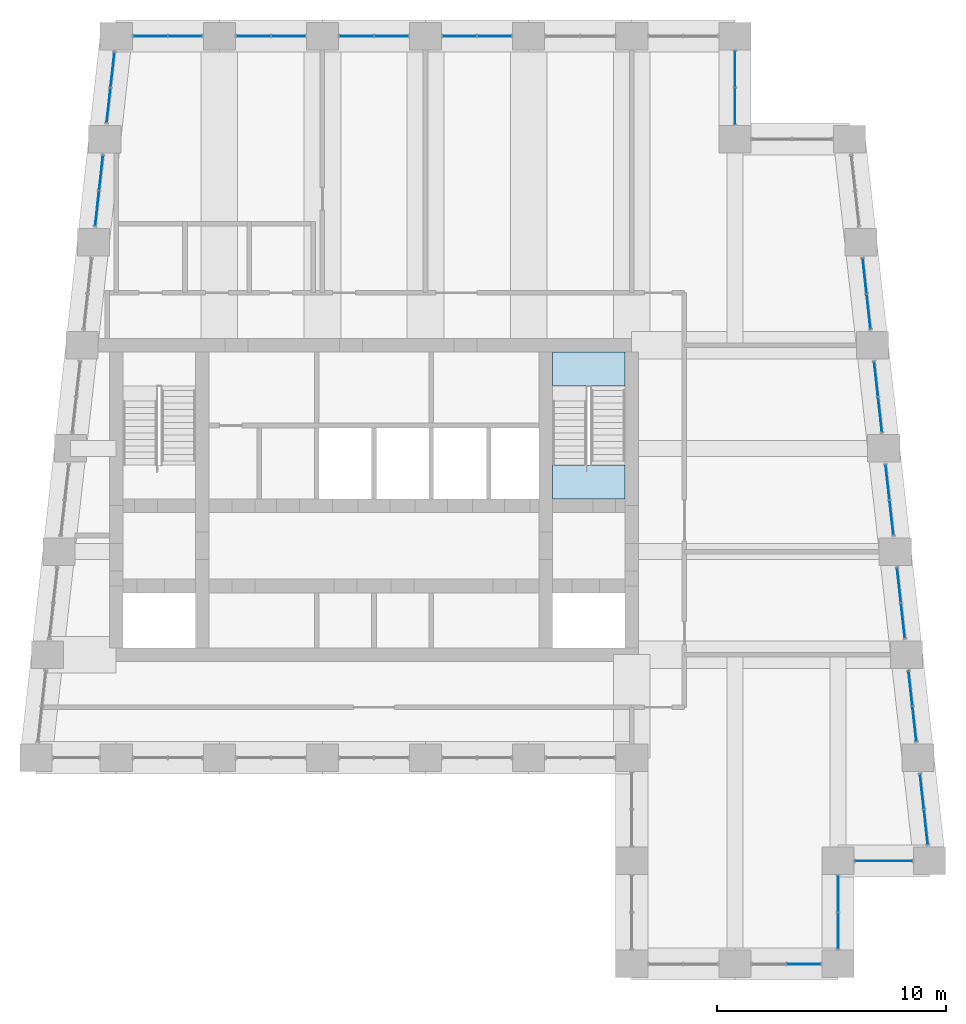
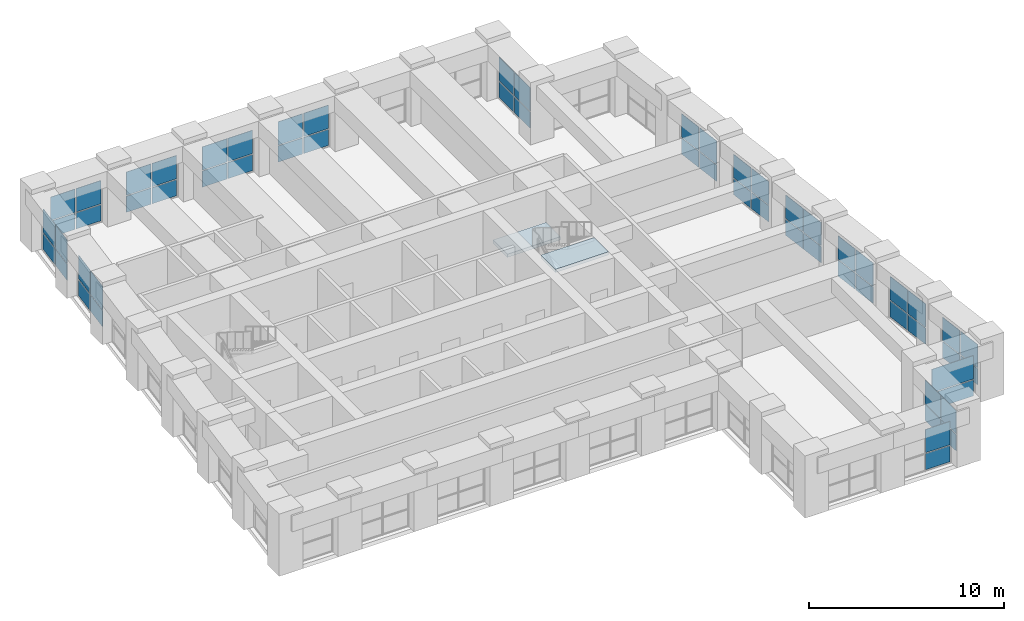
# One storey, part 11 of 15: 60 plates, 2 slabs, 17 elements without a shape of their own.
"""IFC4 building model written with IfcOpenShell, lengths in metres."""

import ifcopenshell
import ifcopenshell.guid

model = None  # the IFC model being written
_history = None  # IfcOwnerHistory: only IFC2X3 demands one
_inside = {}  # id of a spatial element -> (the spatial element, [elements in it])
_under = {}  # id of a project, library or spatial element -> (it, [spatial elements below it])
_declared = {}  # id of a project -> (the project, [libraries it declares])
_typed = {}  # id of a type object -> (the type object, [elements of that type])
_made_of = {}  # id of a material, layer set ... -> (it, [elements and type objects made of it])


def new_model(schema):
    """Start an empty IFC model of exactly this schema.

    Asked for "IFC4X3", IfcOpenShell would pick the latest addendum, in which some entities
    have other attributes; the version numbers below select the first issue.
    IFC2X3 requires an IfcOwnerHistory on every rooted entity: one is made here for all.
    """
    global model, _history
    if schema == "IFC4X3":
        model = ifcopenshell.file(schema_version=(4, 3, 0, 0))
    else:
        model = ifcopenshell.file(schema=schema)
    _inside.clear()
    _under.clear()
    _declared.clear()
    _typed.clear()
    _made_of.clear()
    _history = None
    if model.schema == "IFC2X3":
        org = make("IfcOrganization", Name="unknown")
        user = make(
            "IfcPersonAndOrganization",
            ThePerson=make("IfcPerson", FamilyName="unknown"),
            TheOrganization=org,
        )
        app = make(
            "IfcApplication",
            ApplicationDeveloper=org,
            Version="unknown",
            ApplicationFullName="unknown",
            ApplicationIdentifier="unknown",
        )
        _history = make(
            "IfcOwnerHistory",
            OwningUser=user,
            OwningApplication=app,
            ChangeAction="ADDED",
            CreationDate=0,
        )
    return model


def make(cls, **values):
    """One entity of the class cls with the attributes given. An attribute that is None is left unset."""
    return model.create_entity(
        cls, **{name: value for name, value in values.items() if value is not None}
    )


def rooted(cls, **values):
    """An entity with a GlobalId (a new one), such as an element, a storey or a relation."""
    return make(cls, GlobalId=ifcopenshell.guid.new(), OwnerHistory=_history, **values)


def si_unit(unit_type, name, prefix=None):
    """IfcSIUnit, for example si_unit("LENGTHUNIT", "METRE", prefix="MILLI")."""
    return make("IfcSIUnit", UnitType=unit_type, Prefix=prefix, Name=name)


def assignment(units):
    """IfcUnitAssignment: the units of a project."""
    return None if units is None else make("IfcUnitAssignment", Units=units)


def point(xyz):
    """IfcCartesianPoint."""
    return None if xyz is None else make("IfcCartesianPoint", Coordinates=xyz)


def direction(xyz):
    """IfcDirection."""
    return None if xyz is None else make("IfcDirection", DirectionRatios=xyz)


def frame(location, z_axis=None, x_axis=None):
    """IfcAxis2Placement3D, a coordinate frame: its origin and axes. An axis left out is left unset."""
    return make(
        "IfcAxis2Placement3D",
        Location=point(location),
        Axis=direction(z_axis),
        RefDirection=direction(x_axis),
    )


def frame_2d(location, x_axis=None):
    """IfcAxis2Placement2D, a coordinate frame in the plane: its origin and x axis."""
    return make(
        "IfcAxis2Placement2D", Location=point(location), RefDirection=direction(x_axis)
    )


def origin():
    """The frame at (0, 0, 0) with its axes left unset."""
    return frame((0.0, 0.0, 0.0))


def origin_2d():
    """The frame at (0, 0) in the plane with its x axis left unset."""
    return frame_2d((0.0, 0.0))


def place(relative_to, where):
    """IfcLocalPlacement: puts the frame where relative to a parent placement (None: the world)."""
    return make(
        "IfcLocalPlacement", PlacementRelTo=relative_to, RelativePlacement=where
    )


def context(
    kind, dimensions, precision=None, world=None, true_north=None, identifier=None
):
    """IfcGeometricRepresentationContext, for example the 3D "Model" context."""
    return make(
        "IfcGeometricRepresentationContext",
        ContextIdentifier=identifier,
        ContextType=kind,
        CoordinateSpaceDimension=dimensions,
        Precision=precision,
        WorldCoordinateSystem=world,
        TrueNorth=true_north,
    )


def subcontext(parent, identifier, kind, view, scale=None):
    """IfcGeometricRepresentationSubContext, for example "Body" below "Model"."""
    return make(
        "IfcGeometricRepresentationSubContext",
        ContextIdentifier=identifier,
        ContextType=kind,
        ParentContext=parent,
        TargetScale=scale,
        TargetView=view,
    )


def project(units=None, contexts=None):
    """IfcProject with its units and contexts."""
    return rooted(
        "IfcProject",
        Name="project",
        RepresentationContexts=contexts,
        UnitsInContext=assignment(units),
    )


def spatial(cls, under=None, at=None, **own):
    """A site, building, storey or space (cls), placed at a placement, below another one or the project."""
    s = rooted(cls, ObjectPlacement=at, **own)
    if under is not None:
        _under.setdefault(under.id(), (under, []))[1].append(s)
    return s


def polyline(points):
    """IfcPolyline through the points."""
    return make("IfcPolyline", Points=[point(p) for p in points])


def profile(cls, at=None, kind="AREA", **sizes):
    """A parametric profile (cls). Its sizes go by their IFC names, for example OverallWidth=200.0."""
    return make(cls, ProfileType=kind, Position=at, **sizes)


def rectangle(**sizes):
    """IfcRectangleProfileDef."""
    return profile("IfcRectangleProfileDef", **sizes)


def outline(outer, holes=None, kind="AREA"):
    """IfcArbitraryClosedProfileDef: a profile drawn as a closed curve; with holes, ...WithVoids."""
    if holes is None:
        return make("IfcArbitraryClosedProfileDef", ProfileType=kind, OuterCurve=outer)
    return make(
        "IfcArbitraryProfileDefWithVoids",
        ProfileType=kind,
        OuterCurve=outer,
        InnerCurves=holes,
    )


def extrude(swept, where, along, depth):
    """IfcExtrudedAreaSolid: the profile swept, set in the frame where, extruded along a direction by depth."""
    return make(
        "IfcExtrudedAreaSolid",
        SweptArea=swept,
        Position=where,
        ExtrudedDirection=direction(along),
        Depth=depth,
    )


def shape(context_of_items, identifier, shape_type, items):
    """IfcShapeRepresentation: the items that make up one representation, for example the "Body"."""
    return make(
        "IfcShapeRepresentation",
        ContextOfItems=context_of_items,
        RepresentationIdentifier=identifier,
        RepresentationType=shape_type,
        Items=items,
    )


def material(Name=None, Category=None):
    """IfcMaterial."""
    return make("IfcMaterial", Name=Name, Category=Category)


def layer(
    of_material, thickness, ventilated=None, Name=None, Category=None, Priority=None
):
    """IfcMaterialLayer: one layer of a wall or slab, of a material (None: an air gap)."""
    return make(
        "IfcMaterialLayer",
        Material=of_material,
        LayerThickness=thickness,
        IsVentilated=ventilated,
        Name=Name,
        Category=Category,
        Priority=Priority,
    )


def layer_set(layers, Name=None):
    """IfcMaterialLayerSet."""
    return make("IfcMaterialLayerSet", MaterialLayers=layers, LayerSetName=Name)


def made_of(thing, what):
    """Note that an element or type object is made of a material, layer set ...; save() writes the relation."""
    if what is not None:
        _made_of.setdefault(what.id(), (what, []))[1].append(thing)
    return thing


def type_object(cls, material=None, **own):
    """A type object (cls), such as IfcWallType, which elements share."""
    return made_of(rooted(cls, **own), material)


def element(
    cls,
    number,
    at=None,
    inside=None,
    cuts=None,
    type_object=None,
    material=None,
    context=None,
    identifier="Body",
    shape_type=None,
    held_by="IfcProductDefinitionShape",
    body=None,
    shapes=None,
    **own,
):
    """One element of the class cls, such as IfcWall. Its Tag is "e" and its number.

    at: its placement. inside: the storey or other place that contains it. cuts: it is an
    opening in that element (IfcRelVoidsElement). A single representation is given by context,
    identifier, shape_type and body (its items); several are given by shapes. held_by: the class
    of the entity that holds the representations. save() writes the other relations.
    """
    e = rooted(cls, Tag="e%d" % number, ObjectPlacement=at, **own)
    if body is not None:
        shapes = [shape(context, identifier, shape_type, body)]
    if shapes is not None:
        e.Representation = make(held_by, Representations=shapes)
    if inside is not None:
        _inside.setdefault(inside.id(), (inside, []))[1].append(e)
    if cuts is not None:
        rooted(
            "IfcRelVoidsElement", RelatingBuildingElement=cuts, RelatedOpeningElement=e
        )
    if type_object is not None:
        _typed.setdefault(type_object.id(), (type_object, []))[1].append(e)
    return made_of(e, material)


def aggregate(whole, parts):
    """IfcRelAggregates: a whole, such as a stair, and the parts it consists of."""
    return rooted("IfcRelAggregates", RelatingObject=whole, RelatedObjects=parts)


def save(model, path):
    """Write the relations noted so far, then the file.

    IfcRelAggregates (storeys below a building ...), IfcRelContainedInSpatialStructure (elements
    in a storey), IfcRelDefinesByType, IfcRelAssociatesMaterial and IfcRelDeclares: one each for
    every whole, place, type object, material and project.
    """
    for whole, parts in _under.values():
        aggregate(whole, parts)
    for where, things in _inside.values():
        rooted(
            "IfcRelContainedInSpatialStructure",
            RelatedElements=things,
            RelatingStructure=where,
        )
    for kind, things in _typed.values():
        rooted("IfcRelDefinesByType", RelatedObjects=things, RelatingType=kind)
    for what, things in _made_of.values():
        rooted("IfcRelAssociatesMaterial", RelatedObjects=things, RelatingMaterial=what)
    for by, libraries in _declared.values():
        rooted("IfcRelDeclares", RelatingContext=by, RelatedDefinitions=libraries)
    model.write(path)


model = new_model("IFC4")

# Units and contexts
model_context = context("Model", 3, precision=1e-05, world=origin(), true_north=direction((0.0, 1.0)))
body_context = subcontext(model_context, "Body", "Model", "MODEL_VIEW")
ifc_project = project(units=[si_unit("LENGTHUNIT", "METRE"), si_unit("AREAUNIT", "SQUARE_METRE"), si_unit("VOLUMEUNIT", "CUBIC_METRE"), si_unit("PLANEANGLEUNIT", "RADIAN"), si_unit("MASSUNIT", "GRAM", prefix="KILO")], contexts=[model_context])

# Site, building, storey
site_placement = place(None, origin())
site = spatial("IfcSite", under=ifc_project, at=site_placement, CompositionType="ELEMENT")
building_placement = place(site_placement, origin())
building = spatial("IfcBuilding", under=site, at=building_placement, Name="Kilele Tower Hotel", CompositionType="ELEMENT")
storey_placement = place(building_placement, frame((0.0, 0.0, 285.800048828125)))
storey = spatial("IfcBuildingStorey", under=building, at=storey_placement, Name="L73", CompositionType="ELEMENT", Elevation=285.800048828125)

# Curtain wall, plates
ifc_material_1 = material(Name="Aluminium curtain wall, clear double glazing", Category="aluminium")
curtain_wall_type = type_object("IfcCurtainWallType", Name="Sky bar curtain wall CW-6", PredefinedType="NOTDEFINED", material=ifc_material_1)
curtain_wall_1_placement = place(storey_placement, origin())
curtain_wall_1 = element("IfcCurtainWall", 1, at=curtain_wall_1_placement, inside=storey, type_object=curtain_wall_type, Name="Sky bar curtain wall CW-6 L73", PredefinedType="NOTDEFINED")
ifc_material_2 = material(Name="Clear double glazing", Category="glass")
ifc_layer_1 = layer(ifc_material_2, 0.028076171875)
ifc_layer_set_1 = layer_set([ifc_layer_1], Name="Clear double glazing")
plate_type = type_object("IfcPlateType", Name="Glazed panel 28 CW-6", PredefinedType="CURTAIN_PANEL", material=ifc_layer_set_1)
plate_1_placement = place(storey_placement, frame((43.510009765625, 0.0, 0.06005859375), z_axis=(0.0, 0.0, 1.0), x_axis=(1.0, 0.0, 0.0)))
plate_1 = element("IfcPlate", 2, at=plate_1_placement, type_object=plate_type, Name="CW-6 panel 2.1", PredefinedType="CURTAIN_PANEL", context=body_context, shape_type="SweptSolid", body=[
    extrude(rectangle(XDim=1.4599609375, YDim=0.028076171875, at=origin_2d()), origin(), (0.0, 0.0, 1.0), 1.010009765625),
])
plate_2_placement = place(storey_placement, frame((43.510009765625, 0.0, 1.1298828125), z_axis=(0.0, 0.0, 1.0), x_axis=(1.0, 0.0, 0.0)))
plate_2 = element("IfcPlate", 3, at=plate_2_placement, type_object=plate_type, Name="CW-6 panel 2.2", PredefinedType="CURTAIN_PANEL", context=body_context, shape_type="SweptSolid", body=[
    extrude(rectangle(XDim=1.4599609375, YDim=0.028076171875, at=origin_2d()), origin(), (0.0, 0.0, 1.0), 1.4599609375),
])
aggregate(curtain_wall_1, [plate_1, plate_2])

curtain_wall_2_placement = place(storey_placement, origin())
curtain_wall_2 = element("IfcCurtainWall", 4, at=curtain_wall_2_placement, inside=storey, type_object=curtain_wall_type, Name="Sky bar curtain wall CW-6 L73", PredefinedType="NOTDEFINED")
plate_3_placement = place(storey_placement, frame((45.0, 1.43994140625, 0.06005859375), z_axis=(0.0, 0.0, 1.0), x_axis=(0.0, 1.0, 0.0)))
plate_3 = element("IfcPlate", 5, at=plate_3_placement, type_object=plate_type, Name="CW-6 panel 1.1", PredefinedType="CURTAIN_PANEL", context=body_context, shape_type="SweptSolid", body=[
    extrude(rectangle(XDim=1.56005859375, YDim=0.028076171875, at=origin_2d()), origin(), (0.0, 0.0, 1.0), 1.010009765625),
])
plate_4_placement = place(storey_placement, frame((45.0, 1.43994140625, 1.1298828125), z_axis=(0.0, 0.0, 1.0), x_axis=(0.0, 1.0, 0.0)))
plate_4 = element("IfcPlate", 6, at=plate_4_placement, type_object=plate_type, Name="CW-6 panel 1.2", PredefinedType="CURTAIN_PANEL", context=body_context, shape_type="SweptSolid", body=[
    extrude(rectangle(XDim=1.56005859375, YDim=0.028076171875, at=origin_2d()), origin(), (0.0, 0.0, 1.0), 1.4599609375),
])
plate_5_placement = place(storey_placement, frame((45.0, 3.06005859375, 0.06005859375), z_axis=(0.0, 0.0, 1.0), x_axis=(0.0, 1.0, 0.0)))
plate_5 = element("IfcPlate", 7, at=plate_5_placement, type_object=plate_type, Name="CW-6 panel 2.1", PredefinedType="CURTAIN_PANEL", context=body_context, shape_type="SweptSolid", body=[
    extrude(rectangle(XDim=1.56005859375, YDim=0.028076171875, at=origin_2d()), origin(), (0.0, 0.0, 1.0), 1.010009765625),
])
plate_6_placement = place(storey_placement, frame((45.0, 3.06005859375, 1.1298828125), z_axis=(0.0, 0.0, 1.0), x_axis=(0.0, 1.0, 0.0)))
plate_6 = element("IfcPlate", 8, at=plate_6_placement, type_object=plate_type, Name="CW-6 panel 2.2", PredefinedType="CURTAIN_PANEL", context=body_context, shape_type="SweptSolid", body=[
    extrude(rectangle(XDim=1.56005859375, YDim=0.028076171875, at=origin_2d()), origin(), (0.0, 0.0, 1.0), 1.4599609375),
])
aggregate(curtain_wall_2, [plate_3, plate_4, plate_5, plate_6])

curtain_wall_3_placement = place(storey_placement, origin())
curtain_wall_3 = element("IfcCurtainWall", 9, at=curtain_wall_3_placement, inside=storey, type_object=curtain_wall_type, Name="Sky bar curtain wall CW-6 L73", PredefinedType="NOTDEFINED")
plate_7_placement = place(storey_placement, frame((47.0, 4.5, 0.06005859375), z_axis=(0.0, 0.0, 1.0), x_axis=(1.0, 0.0, 0.0)))
plate_7 = element("IfcPlate", 10, at=plate_7_placement, type_object=plate_type, Name="CW-6 panel 1.1", PredefinedType="CURTAIN_PANEL", context=body_context, shape_type="SweptSolid", body=[
    extrude(rectangle(XDim=2.47998046875, YDim=0.028076171875, at=origin_2d()), origin(), (0.0, 0.0, 1.0), 1.010009765625),
])
plate_8_placement = place(storey_placement, frame((47.0, 4.5, 1.1298828125), z_axis=(0.0, 0.0, 1.0), x_axis=(1.0, 0.0, 0.0)))
plate_8 = element("IfcPlate", 11, at=plate_8_placement, type_object=plate_type, Name="CW-6 panel 1.2", PredefinedType="CURTAIN_PANEL", context=body_context, shape_type="SweptSolid", body=[
    extrude(rectangle(XDim=2.47998046875, YDim=0.028076171875, at=origin_2d()), origin(), (0.0, 0.0, 1.0), 1.4599609375),
])
aggregate(curtain_wall_3, [plate_7, plate_8])

curtain_wall_4_placement = place(storey_placement, origin())
curtain_wall_4 = element("IfcCurtainWall", 12, at=curtain_wall_4_placement, inside=storey, type_object=curtain_wall_type, Name="Sky bar curtain wall CW-6 L73", PredefinedType="NOTDEFINED")
plate_9_placement = place(storey_placement, frame((48.836181640625, 5.974609375, 0.06005859375), z_axis=(0.0, 0.0, 1.0), x_axis=(-0.110431526007, 0.993883734681, 0.0)))
plate_9 = element("IfcPlate", 13, at=plate_9_placement, type_object=plate_type, Name="CW-6 panel 1.1", PredefinedType="CURTAIN_PANEL", context=body_context, shape_type="SweptSolid", body=[
    extrude(rectangle(XDim=1.500244140625, YDim=0.028076171875, at=origin_2d()), origin(), (0.0, 0.0, 1.0), 1.010009765625),
])
plate_10_placement = place(storey_placement, frame((48.836181640625, 5.974609375, 1.1298828125), z_axis=(0.0, 0.0, 1.0), x_axis=(-0.110431526007, 0.993883734681, 0.0)))
plate_10 = element("IfcPlate", 14, at=plate_10_placement, type_object=plate_type, Name="CW-6 panel 1.2", PredefinedType="CURTAIN_PANEL", context=body_context, shape_type="SweptSolid", body=[
    extrude(rectangle(XDim=1.500244140625, YDim=0.028076171875, at=origin_2d()), origin(), (0.0, 0.0, 1.0), 1.4599609375),
])
plate_11_placement = place(storey_placement, frame((48.663818359375, 7.525390625, 0.06005859375), z_axis=(0.0, 0.0, 1.0), x_axis=(-0.110431526007, 0.993883734681, 0.0)))
plate_11 = element("IfcPlate", 15, at=plate_11_placement, type_object=plate_type, Name="CW-6 panel 2.1", PredefinedType="CURTAIN_PANEL", context=body_context, shape_type="SweptSolid", body=[
    extrude(rectangle(XDim=1.500244140625, YDim=0.028076171875, at=origin_2d()), origin(), (0.0, 0.0, 1.0), 1.010009765625),
])
plate_12_placement = place(storey_placement, frame((48.663818359375, 7.525390625, 1.1298828125), z_axis=(0.0, 0.0, 1.0), x_axis=(-0.110431526007, 0.993883734681, 0.0)))
plate_12 = element("IfcPlate", 16, at=plate_12_placement, type_object=plate_type, Name="CW-6 panel 2.2", PredefinedType="CURTAIN_PANEL", context=body_context, shape_type="SweptSolid", body=[
    extrude(rectangle(XDim=1.500244140625, YDim=0.028076171875, at=origin_2d()), origin(), (0.0, 0.0, 1.0), 1.4599609375),
])
aggregate(curtain_wall_4, [plate_9, plate_10, plate_11, plate_12])

curtain_wall_5_placement = place(storey_placement, origin())
curtain_wall_5 = element("IfcCurtainWall", 17, at=curtain_wall_5_placement, inside=storey, type_object=curtain_wall_type, Name="Sky bar curtain wall CW-6 L73", PredefinedType="NOTDEFINED")
plate_13_placement = place(storey_placement, frame((48.336181640625, 10.474609375, 0.06005859375), z_axis=(0.0, 0.0, 1.0), x_axis=(-0.110431526007, 0.993883734681, 0.0)))
plate_13 = element("IfcPlate", 18, at=plate_13_placement, type_object=plate_type, Name="CW-6 panel 1.1", PredefinedType="CURTAIN_PANEL", context=body_context, shape_type="SweptSolid", body=[
    extrude(rectangle(XDim=1.500244140625, YDim=0.028076171875, at=origin_2d()), origin(), (0.0, 0.0, 1.0), 1.010009765625),
])
plate_14_placement = place(storey_placement, frame((48.336181640625, 10.474609375, 1.1298828125), z_axis=(0.0, 0.0, 1.0), x_axis=(-0.110431526007, 0.993883734681, 0.0)))
plate_14 = element("IfcPlate", 19, at=plate_14_placement, type_object=plate_type, Name="CW-6 panel 1.2", PredefinedType="CURTAIN_PANEL", context=body_context, shape_type="SweptSolid", body=[
    extrude(rectangle(XDim=1.500244140625, YDim=0.028076171875, at=origin_2d()), origin(), (0.0, 0.0, 1.0), 1.4599609375),
])
plate_15_placement = place(storey_placement, frame((48.163818359375, 12.025390625, 0.06005859375), z_axis=(0.0, 0.0, 1.0), x_axis=(-0.110431526007, 0.993883734681, 0.0)))
plate_15 = element("IfcPlate", 20, at=plate_15_placement, type_object=plate_type, Name="CW-6 panel 2.1", PredefinedType="CURTAIN_PANEL", context=body_context, shape_type="SweptSolid", body=[
    extrude(rectangle(XDim=1.500244140625, YDim=0.028076171875, at=origin_2d()), origin(), (0.0, 0.0, 1.0), 1.010009765625),
])
plate_16_placement = place(storey_placement, frame((48.163818359375, 12.025390625, 1.1298828125), z_axis=(0.0, 0.0, 1.0), x_axis=(-0.110431526007, 0.993883734681, 0.0)))
plate_16 = element("IfcPlate", 21, at=plate_16_placement, type_object=plate_type, Name="CW-6 panel 2.2", PredefinedType="CURTAIN_PANEL", context=body_context, shape_type="SweptSolid", body=[
    extrude(rectangle(XDim=1.500244140625, YDim=0.028076171875, at=origin_2d()), origin(), (0.0, 0.0, 1.0), 1.4599609375),
])
aggregate(curtain_wall_5, [plate_13, plate_14, plate_15, plate_16])

curtain_wall_6_placement = place(storey_placement, origin())
curtain_wall_6 = element("IfcCurtainWall", 22, at=curtain_wall_6_placement, inside=storey, type_object=curtain_wall_type, Name="Sky bar curtain wall CW-6 L73", PredefinedType="NOTDEFINED")
plate_17_placement = place(storey_placement, frame((47.836181640625, 14.974609375, 0.06005859375), z_axis=(0.0, 0.0, 1.0), x_axis=(-0.110431526007, 0.993883734681, 0.0)))
plate_17 = element("IfcPlate", 23, at=plate_17_placement, type_object=plate_type, Name="CW-6 panel 1.1", PredefinedType="CURTAIN_PANEL", context=body_context, shape_type="SweptSolid", body=[
    extrude(rectangle(XDim=1.500244140625, YDim=0.028076171875, at=origin_2d()), origin(), (0.0, 0.0, 1.0), 1.010009765625),
])
plate_18_placement = place(storey_placement, frame((47.836181640625, 14.974609375, 1.1298828125), z_axis=(0.0, 0.0, 1.0), x_axis=(-0.110431526007, 0.993883734681, 0.0)))
plate_18 = element("IfcPlate", 24, at=plate_18_placement, type_object=plate_type, Name="CW-6 panel 1.2", PredefinedType="CURTAIN_PANEL", context=body_context, shape_type="SweptSolid", body=[
    extrude(rectangle(XDim=1.500244140625, YDim=0.028076171875, at=origin_2d()), origin(), (0.0, 0.0, 1.0), 1.4599609375),
])
plate_19_placement = place(storey_placement, frame((47.663818359375, 16.525390625, 0.06005859375), z_axis=(0.0, 0.0, 1.0), x_axis=(-0.110431526007, 0.993883734681, 0.0)))
plate_19 = element("IfcPlate", 25, at=plate_19_placement, type_object=plate_type, Name="CW-6 panel 2.1", PredefinedType="CURTAIN_PANEL", context=body_context, shape_type="SweptSolid", body=[
    extrude(rectangle(XDim=1.500244140625, YDim=0.028076171875, at=origin_2d()), origin(), (0.0, 0.0, 1.0), 1.010009765625),
])
plate_20_placement = place(storey_placement, frame((47.663818359375, 16.525390625, 1.1298828125), z_axis=(0.0, 0.0, 1.0), x_axis=(-0.110431526007, 0.993883734681, 0.0)))
plate_20 = element("IfcPlate", 26, at=plate_20_placement, type_object=plate_type, Name="CW-6 panel 2.2", PredefinedType="CURTAIN_PANEL", context=body_context, shape_type="SweptSolid", body=[
    extrude(rectangle(XDim=1.500244140625, YDim=0.028076171875, at=origin_2d()), origin(), (0.0, 0.0, 1.0), 1.4599609375),
])
aggregate(curtain_wall_6, [plate_17, plate_18, plate_19, plate_20])

curtain_wall_7_placement = place(storey_placement, origin())
curtain_wall_7 = element("IfcCurtainWall", 27, at=curtain_wall_7_placement, inside=storey, type_object=curtain_wall_type, Name="Sky bar curtain wall CW-6 L73", PredefinedType="NOTDEFINED")
plate_21_placement = place(storey_placement, frame((47.336181640625, 19.474609375, 0.06005859375), z_axis=(0.0, 0.0, 1.0), x_axis=(-0.110431526007, 0.993883734681, 0.0)))
plate_21 = element("IfcPlate", 28, at=plate_21_placement, type_object=plate_type, Name="CW-6 panel 1.1", PredefinedType="CURTAIN_PANEL", context=body_context, shape_type="SweptSolid", body=[
    extrude(rectangle(XDim=1.500244140625, YDim=0.028076171875, at=origin_2d()), origin(), (0.0, 0.0, 1.0), 1.010009765625),
])
plate_22_placement = place(storey_placement, frame((47.336181640625, 19.474609375, 1.1298828125), z_axis=(0.0, 0.0, 1.0), x_axis=(-0.110431526007, 0.993883734681, 0.0)))
plate_22 = element("IfcPlate", 29, at=plate_22_placement, type_object=plate_type, Name="CW-6 panel 1.2", PredefinedType="CURTAIN_PANEL", context=body_context, shape_type="SweptSolid", body=[
    extrude(rectangle(XDim=1.500244140625, YDim=0.028076171875, at=origin_2d()), origin(), (0.0, 0.0, 1.0), 1.4599609375),
])
plate_23_placement = place(storey_placement, frame((47.163818359375, 21.025390625, 0.06005859375), z_axis=(0.0, 0.0, 1.0), x_axis=(-0.110431526007, 0.993883734681, 0.0)))
plate_23 = element("IfcPlate", 30, at=plate_23_placement, type_object=plate_type, Name="CW-6 panel 2.1", PredefinedType="CURTAIN_PANEL", context=body_context, shape_type="SweptSolid", body=[
    extrude(rectangle(XDim=1.500244140625, YDim=0.028076171875, at=origin_2d()), origin(), (0.0, 0.0, 1.0), 1.010009765625),
])
plate_24_placement = place(storey_placement, frame((47.163818359375, 21.025390625, 1.1298828125), z_axis=(0.0, 0.0, 1.0), x_axis=(-0.110431526007, 0.993883734681, 0.0)))
plate_24 = element("IfcPlate", 31, at=plate_24_placement, type_object=plate_type, Name="CW-6 panel 2.2", PredefinedType="CURTAIN_PANEL", context=body_context, shape_type="SweptSolid", body=[
    extrude(rectangle(XDim=1.500244140625, YDim=0.028076171875, at=origin_2d()), origin(), (0.0, 0.0, 1.0), 1.4599609375),
])
aggregate(curtain_wall_7, [plate_21, plate_22, plate_23, plate_24])

curtain_wall_8_placement = place(storey_placement, origin())
curtain_wall_8 = element("IfcCurtainWall", 32, at=curtain_wall_8_placement, inside=storey, type_object=curtain_wall_type, Name="Sky bar curtain wall CW-6 L73", PredefinedType="NOTDEFINED")
plate_25_placement = place(storey_placement, frame((46.836181640625, 23.974609375, 0.06005859375), z_axis=(0.0, 0.0, 1.0), x_axis=(-0.110431526007, 0.993883734681, 0.0)))
plate_25 = element("IfcPlate", 33, at=plate_25_placement, type_object=plate_type, Name="CW-6 panel 1.1", PredefinedType="CURTAIN_PANEL", context=body_context, shape_type="SweptSolid", body=[
    extrude(rectangle(XDim=1.500244140625, YDim=0.028076171875, at=origin_2d()), origin(), (0.0, 0.0, 1.0), 1.010009765625),
])
plate_26_placement = place(storey_placement, frame((46.836181640625, 23.974609375, 1.1298828125), z_axis=(0.0, 0.0, 1.0), x_axis=(-0.110431526007, 0.993883734681, 0.0)))
plate_26 = element("IfcPlate", 34, at=plate_26_placement, type_object=plate_type, Name="CW-6 panel 1.2", PredefinedType="CURTAIN_PANEL", context=body_context, shape_type="SweptSolid", body=[
    extrude(rectangle(XDim=1.500244140625, YDim=0.028076171875, at=origin_2d()), origin(), (0.0, 0.0, 1.0), 1.4599609375),
])
plate_27_placement = place(storey_placement, frame((46.663818359375, 25.525390625, 0.06005859375), z_axis=(0.0, 0.0, 1.0), x_axis=(-0.110431526007, 0.993883734681, 0.0)))
plate_27 = element("IfcPlate", 35, at=plate_27_placement, type_object=plate_type, Name="CW-6 panel 2.1", PredefinedType="CURTAIN_PANEL", context=body_context, shape_type="SweptSolid", body=[
    extrude(rectangle(XDim=1.500244140625, YDim=0.028076171875, at=origin_2d()), origin(), (0.0, 0.0, 1.0), 1.010009765625),
])
plate_28_placement = place(storey_placement, frame((46.663818359375, 25.525390625, 1.1298828125), z_axis=(0.0, 0.0, 1.0), x_axis=(-0.110431526007, 0.993883734681, 0.0)))
plate_28 = element("IfcPlate", 36, at=plate_28_placement, type_object=plate_type, Name="CW-6 panel 2.2", PredefinedType="CURTAIN_PANEL", context=body_context, shape_type="SweptSolid", body=[
    extrude(rectangle(XDim=1.500244140625, YDim=0.028076171875, at=origin_2d()), origin(), (0.0, 0.0, 1.0), 1.4599609375),
])
aggregate(curtain_wall_8, [plate_25, plate_26, plate_27, plate_28])

curtain_wall_9_placement = place(storey_placement, origin())
curtain_wall_9 = element("IfcCurtainWall", 37, at=curtain_wall_9_placement, inside=storey, type_object=curtain_wall_type, Name="Sky bar curtain wall CW-6 L73", PredefinedType="NOTDEFINED")
plate_29_placement = place(storey_placement, frame((46.336181640625, 28.474609375, 0.06005859375), z_axis=(0.0, 0.0, 1.0), x_axis=(-0.110431526007, 0.993883734681, 0.0)))
plate_29 = element("IfcPlate", 38, at=plate_29_placement, type_object=plate_type, Name="CW-6 panel 1.1", PredefinedType="CURTAIN_PANEL", context=body_context, shape_type="SweptSolid", body=[
    extrude(rectangle(XDim=1.500244140625, YDim=0.028076171875, at=origin_2d()), origin(), (0.0, 0.0, 1.0), 1.010009765625),
])
plate_30_placement = place(storey_placement, frame((46.336181640625, 28.474609375, 1.1298828125), z_axis=(0.0, 0.0, 1.0), x_axis=(-0.110431526007, 0.993883734681, 0.0)))
plate_30 = element("IfcPlate", 39, at=plate_30_placement, type_object=plate_type, Name="CW-6 panel 1.2", PredefinedType="CURTAIN_PANEL", context=body_context, shape_type="SweptSolid", body=[
    extrude(rectangle(XDim=1.500244140625, YDim=0.028076171875, at=origin_2d()), origin(), (0.0, 0.0, 1.0), 1.4599609375),
])
plate_31_placement = place(storey_placement, frame((46.163818359375, 30.025390625, 0.06005859375), z_axis=(0.0, 0.0, 1.0), x_axis=(-0.110431526007, 0.993883734681, 0.0)))
plate_31 = element("IfcPlate", 40, at=plate_31_placement, type_object=plate_type, Name="CW-6 panel 2.1", PredefinedType="CURTAIN_PANEL", context=body_context, shape_type="SweptSolid", body=[
    extrude(rectangle(XDim=1.500244140625, YDim=0.028076171875, at=origin_2d()), origin(), (0.0, 0.0, 1.0), 1.010009765625),
])
plate_32_placement = place(storey_placement, frame((46.163818359375, 30.025390625, 1.1298828125), z_axis=(0.0, 0.0, 1.0), x_axis=(-0.110431526007, 0.993883734681, 0.0)))
plate_32 = element("IfcPlate", 41, at=plate_32_placement, type_object=plate_type, Name="CW-6 panel 2.2", PredefinedType="CURTAIN_PANEL", context=body_context, shape_type="SweptSolid", body=[
    extrude(rectangle(XDim=1.500244140625, YDim=0.028076171875, at=origin_2d()), origin(), (0.0, 0.0, 1.0), 1.4599609375),
])
aggregate(curtain_wall_9, [plate_29, plate_30, plate_31, plate_32])

curtain_wall_10_placement = place(storey_placement, origin())
curtain_wall_10 = element("IfcCurtainWall", 42, at=curtain_wall_10_placement, inside=storey, type_object=curtain_wall_type, Name="Sky bar curtain wall CW-6 L73", PredefinedType="NOTDEFINED")
plate_33_placement = place(storey_placement, frame((40.5, 37.43994140625, 0.06005859375), z_axis=(0.0, 0.0, 1.0), x_axis=(0.0, 1.0, 0.0)))
plate_33 = element("IfcPlate", 43, at=plate_33_placement, type_object=plate_type, Name="CW-6 panel 1.1", PredefinedType="CURTAIN_PANEL", context=body_context, shape_type="SweptSolid", body=[
    extrude(rectangle(XDim=1.56005859375, YDim=0.028076171875, at=origin_2d()), origin(), (0.0, 0.0, 1.0), 1.010009765625),
])
plate_34_placement = place(storey_placement, frame((40.5, 37.43994140625, 1.1298828125), z_axis=(0.0, 0.0, 1.0), x_axis=(0.0, 1.0, 0.0)))
plate_34 = element("IfcPlate", 44, at=plate_34_placement, type_object=plate_type, Name="CW-6 panel 1.2", PredefinedType="CURTAIN_PANEL", context=body_context, shape_type="SweptSolid", body=[
    extrude(rectangle(XDim=1.56005859375, YDim=0.028076171875, at=origin_2d()), origin(), (0.0, 0.0, 1.0), 1.4599609375),
])
plate_35_placement = place(storey_placement, frame((40.5, 39.06005859375, 0.06005859375), z_axis=(0.0, 0.0, 1.0), x_axis=(0.0, 1.0, 0.0)))
plate_35 = element("IfcPlate", 45, at=plate_35_placement, type_object=plate_type, Name="CW-6 panel 2.1", PredefinedType="CURTAIN_PANEL", context=body_context, shape_type="SweptSolid", body=[
    extrude(rectangle(XDim=1.56005859375, YDim=0.028076171875, at=origin_2d()), origin(), (0.0, 0.0, 1.0), 1.010009765625),
])
plate_36_placement = place(storey_placement, frame((40.5, 39.06005859375, 1.1298828125), z_axis=(0.0, 0.0, 1.0), x_axis=(0.0, 1.0, 0.0)))
plate_36 = element("IfcPlate", 46, at=plate_36_placement, type_object=plate_type, Name="CW-6 panel 2.2", PredefinedType="CURTAIN_PANEL", context=body_context, shape_type="SweptSolid", body=[
    extrude(rectangle(XDim=1.56005859375, YDim=0.028076171875, at=origin_2d()), origin(), (0.0, 0.0, 1.0), 1.4599609375),
])
aggregate(curtain_wall_10, [plate_33, plate_34, plate_35, plate_36])

curtain_wall_11_placement = place(storey_placement, origin())
curtain_wall_11 = element("IfcCurtainWall", 47, at=curtain_wall_11_placement, inside=storey, type_object=curtain_wall_type, Name="Sky bar curtain wall CW-6 L73", PredefinedType="NOTDEFINED")
plate_37_placement = place(storey_placement, frame((30.010009765625, 40.5, 0.06005859375), z_axis=(0.0, 0.0, 1.0), x_axis=(-1.0, 0.0, 0.0)))
plate_37 = element("IfcPlate", 48, at=plate_37_placement, type_object=plate_type, Name="CW-6 panel 1.1", PredefinedType="CURTAIN_PANEL", context=body_context, shape_type="SweptSolid", body=[
    extrude(rectangle(XDim=1.4599609375, YDim=0.028076171875, at=origin_2d()), origin(), (0.0, 0.0, 1.0), 1.010009765625),
])
plate_38_placement = place(storey_placement, frame((30.010009765625, 40.5, 1.1298828125), z_axis=(0.0, 0.0, 1.0), x_axis=(-1.0, 0.0, 0.0)))
plate_38 = element("IfcPlate", 49, at=plate_38_placement, type_object=plate_type, Name="CW-6 panel 1.2", PredefinedType="CURTAIN_PANEL", context=body_context, shape_type="SweptSolid", body=[
    extrude(rectangle(XDim=1.4599609375, YDim=0.028076171875, at=origin_2d()), origin(), (0.0, 0.0, 1.0), 1.4599609375),
])
plate_39_placement = place(storey_placement, frame((28.489990234375, 40.5, 0.06005859375), z_axis=(0.0, 0.0, 1.0), x_axis=(-1.0, 0.0, 0.0)))
plate_39 = element("IfcPlate", 50, at=plate_39_placement, type_object=plate_type, Name="CW-6 panel 2.1", PredefinedType="CURTAIN_PANEL", context=body_context, shape_type="SweptSolid", body=[
    extrude(rectangle(XDim=1.4599609375, YDim=0.028076171875, at=origin_2d()), origin(), (0.0, 0.0, 1.0), 1.010009765625),
])
plate_40_placement = place(storey_placement, frame((28.489990234375, 40.5, 1.1298828125), z_axis=(0.0, 0.0, 1.0), x_axis=(-1.0, 0.0, 0.0)))
plate_40 = element("IfcPlate", 51, at=plate_40_placement, type_object=plate_type, Name="CW-6 panel 2.2", PredefinedType="CURTAIN_PANEL", context=body_context, shape_type="SweptSolid", body=[
    extrude(rectangle(XDim=1.4599609375, YDim=0.028076171875, at=origin_2d()), origin(), (0.0, 0.0, 1.0), 1.4599609375),
])
aggregate(curtain_wall_11, [plate_37, plate_38, plate_39, plate_40])

curtain_wall_12_placement = place(storey_placement, origin())
curtain_wall_12 = element("IfcCurtainWall", 52, at=curtain_wall_12_placement, inside=storey, type_object=curtain_wall_type, Name="Sky bar curtain wall CW-6 L73", PredefinedType="NOTDEFINED")
plate_41_placement = place(storey_placement, frame((25.510009765625, 40.5, 0.06005859375), z_axis=(0.0, 0.0, 1.0), x_axis=(-1.0, 0.0, 0.0)))
plate_41 = element("IfcPlate", 53, at=plate_41_placement, type_object=plate_type, Name="CW-6 panel 1.1", PredefinedType="CURTAIN_PANEL", context=body_context, shape_type="SweptSolid", body=[
    extrude(rectangle(XDim=1.4599609375, YDim=0.028076171875, at=origin_2d()), origin(), (0.0, 0.0, 1.0), 1.010009765625),
])
plate_42_placement = place(storey_placement, frame((25.510009765625, 40.5, 1.1298828125), z_axis=(0.0, 0.0, 1.0), x_axis=(-1.0, 0.0, 0.0)))
plate_42 = element("IfcPlate", 54, at=plate_42_placement, type_object=plate_type, Name="CW-6 panel 1.2", PredefinedType="CURTAIN_PANEL", context=body_context, shape_type="SweptSolid", body=[
    extrude(rectangle(XDim=1.4599609375, YDim=0.028076171875, at=origin_2d()), origin(), (0.0, 0.0, 1.0), 1.4599609375),
])
plate_43_placement = place(storey_placement, frame((23.989990234375, 40.5, 0.06005859375), z_axis=(0.0, 0.0, 1.0), x_axis=(-1.0, 0.0, 0.0)))
plate_43 = element("IfcPlate", 55, at=plate_43_placement, type_object=plate_type, Name="CW-6 panel 2.1", PredefinedType="CURTAIN_PANEL", context=body_context, shape_type="SweptSolid", body=[
    extrude(rectangle(XDim=1.4599609375, YDim=0.028076171875, at=origin_2d()), origin(), (0.0, 0.0, 1.0), 1.010009765625),
])
plate_44_placement = place(storey_placement, frame((23.989990234375, 40.5, 1.1298828125), z_axis=(0.0, 0.0, 1.0), x_axis=(-1.0, 0.0, 0.0)))
plate_44 = element("IfcPlate", 56, at=plate_44_placement, type_object=plate_type, Name="CW-6 panel 2.2", PredefinedType="CURTAIN_PANEL", context=body_context, shape_type="SweptSolid", body=[
    extrude(rectangle(XDim=1.4599609375, YDim=0.028076171875, at=origin_2d()), origin(), (0.0, 0.0, 1.0), 1.4599609375),
])
aggregate(curtain_wall_12, [plate_41, plate_42, plate_43, plate_44])

curtain_wall_13_placement = place(storey_placement, origin())
curtain_wall_13 = element("IfcCurtainWall", 57, at=curtain_wall_13_placement, inside=storey, type_object=curtain_wall_type, Name="Sky bar curtain wall CW-6 L73", PredefinedType="NOTDEFINED")
plate_45_placement = place(storey_placement, frame((21.010009765625, 40.5, 0.06005859375), z_axis=(0.0, 0.0, 1.0), x_axis=(-1.0, 0.0, 0.0)))
plate_45 = element("IfcPlate", 58, at=plate_45_placement, type_object=plate_type, Name="CW-6 panel 1.1", PredefinedType="CURTAIN_PANEL", context=body_context, shape_type="SweptSolid", body=[
    extrude(rectangle(XDim=1.4599609375, YDim=0.028076171875, at=origin_2d()), origin(), (0.0, 0.0, 1.0), 1.010009765625),
])
plate_46_placement = place(storey_placement, frame((21.010009765625, 40.5, 1.1298828125), z_axis=(0.0, 0.0, 1.0), x_axis=(-1.0, 0.0, 0.0)))
plate_46 = element("IfcPlate", 59, at=plate_46_placement, type_object=plate_type, Name="CW-6 panel 1.2", PredefinedType="CURTAIN_PANEL", context=body_context, shape_type="SweptSolid", body=[
    extrude(rectangle(XDim=1.4599609375, YDim=0.028076171875, at=origin_2d()), origin(), (0.0, 0.0, 1.0), 1.4599609375),
])
plate_47_placement = place(storey_placement, frame((19.489990234375, 40.5, 0.06005859375), z_axis=(0.0, 0.0, 1.0), x_axis=(-1.0, 0.0, 0.0)))
plate_47 = element("IfcPlate", 60, at=plate_47_placement, type_object=plate_type, Name="CW-6 panel 2.1", PredefinedType="CURTAIN_PANEL", context=body_context, shape_type="SweptSolid", body=[
    extrude(rectangle(XDim=1.4599609375, YDim=0.028076171875, at=origin_2d()), origin(), (0.0, 0.0, 1.0), 1.010009765625),
])
plate_48_placement = place(storey_placement, frame((19.489990234375, 40.5, 1.1298828125), z_axis=(0.0, 0.0, 1.0), x_axis=(-1.0, 0.0, 0.0)))
plate_48 = element("IfcPlate", 61, at=plate_48_placement, type_object=plate_type, Name="CW-6 panel 2.2", PredefinedType="CURTAIN_PANEL", context=body_context, shape_type="SweptSolid", body=[
    extrude(rectangle(XDim=1.4599609375, YDim=0.028076171875, at=origin_2d()), origin(), (0.0, 0.0, 1.0), 1.4599609375),
])
aggregate(curtain_wall_13, [plate_45, plate_46, plate_47, plate_48])

curtain_wall_14_placement = place(storey_placement, origin())
curtain_wall_14 = element("IfcCurtainWall", 62, at=curtain_wall_14_placement, inside=storey, type_object=curtain_wall_type, Name="Sky bar curtain wall CW-6 L73", PredefinedType="NOTDEFINED")
plate_49_placement = place(storey_placement, frame((16.510009765625, 40.5, 0.06005859375), z_axis=(0.0, 0.0, 1.0), x_axis=(-1.0, 0.0, 0.0)))
plate_49 = element("IfcPlate", 63, at=plate_49_placement, type_object=plate_type, Name="CW-6 panel 1.1", PredefinedType="CURTAIN_PANEL", context=body_context, shape_type="SweptSolid", body=[
    extrude(rectangle(XDim=1.4599609375, YDim=0.028076171875, at=origin_2d()), origin(), (0.0, 0.0, 1.0), 1.010009765625),
])
plate_50_placement = place(storey_placement, frame((16.510009765625, 40.5, 1.1298828125), z_axis=(0.0, 0.0, 1.0), x_axis=(-1.0, 0.0, 0.0)))
plate_50 = element("IfcPlate", 64, at=plate_50_placement, type_object=plate_type, Name="CW-6 panel 1.2", PredefinedType="CURTAIN_PANEL", context=body_context, shape_type="SweptSolid", body=[
    extrude(rectangle(XDim=1.4599609375, YDim=0.028076171875, at=origin_2d()), origin(), (0.0, 0.0, 1.0), 1.4599609375),
])
plate_51_placement = place(storey_placement, frame((14.989990234375, 40.5, 0.06005859375), z_axis=(0.0, 0.0, 1.0), x_axis=(-1.0, 0.0, 0.0)))
plate_51 = element("IfcPlate", 65, at=plate_51_placement, type_object=plate_type, Name="CW-6 panel 2.1", PredefinedType="CURTAIN_PANEL", context=body_context, shape_type="SweptSolid", body=[
    extrude(rectangle(XDim=1.4599609375, YDim=0.028076171875, at=origin_2d()), origin(), (0.0, 0.0, 1.0), 1.010009765625),
])
plate_52_placement = place(storey_placement, frame((14.989990234375, 40.5, 1.1298828125), z_axis=(0.0, 0.0, 1.0), x_axis=(-1.0, 0.0, 0.0)))
plate_52 = element("IfcPlate", 66, at=plate_52_placement, type_object=plate_type, Name="CW-6 panel 2.2", PredefinedType="CURTAIN_PANEL", context=body_context, shape_type="SweptSolid", body=[
    extrude(rectangle(XDim=1.4599609375, YDim=0.028076171875, at=origin_2d()), origin(), (0.0, 0.0, 1.0), 1.4599609375),
])
aggregate(curtain_wall_14, [plate_49, plate_50, plate_51, plate_52])

curtain_wall_15_placement = place(storey_placement, origin())
curtain_wall_15 = element("IfcCurtainWall", 67, at=curtain_wall_15_placement, inside=storey, type_object=curtain_wall_type, Name="Sky bar curtain wall CW-6 L73", PredefinedType="NOTDEFINED")
plate_53_placement = place(storey_placement, frame((13.336181640625, 39.025390625, 0.06005859375), z_axis=(0.0, 0.0, 1.0), x_axis=(-0.110431526007, -0.993883734681, 0.0)))
plate_53 = element("IfcPlate", 68, at=plate_53_placement, type_object=plate_type, Name="CW-6 panel 1.1", PredefinedType="CURTAIN_PANEL", context=body_context, shape_type="SweptSolid", body=[
    extrude(rectangle(XDim=1.500244140625, YDim=0.028076171875, at=origin_2d()), origin(), (0.0, 0.0, 1.0), 1.010009765625),
])
plate_54_placement = place(storey_placement, frame((13.336181640625, 39.025390625, 1.1298828125), z_axis=(0.0, 0.0, 1.0), x_axis=(-0.110431526007, -0.993883734681, 0.0)))
plate_54 = element("IfcPlate", 69, at=plate_54_placement, type_object=plate_type, Name="CW-6 panel 1.2", PredefinedType="CURTAIN_PANEL", context=body_context, shape_type="SweptSolid", body=[
    extrude(rectangle(XDim=1.500244140625, YDim=0.028076171875, at=origin_2d()), origin(), (0.0, 0.0, 1.0), 1.4599609375),
])
plate_55_placement = place(storey_placement, frame((13.163818359375, 37.474609375, 0.06005859375), z_axis=(0.0, 0.0, 1.0), x_axis=(-0.110431526007, -0.993883734681, 0.0)))
plate_55 = element("IfcPlate", 70, at=plate_55_placement, type_object=plate_type, Name="CW-6 panel 2.1", PredefinedType="CURTAIN_PANEL", context=body_context, shape_type="SweptSolid", body=[
    extrude(rectangle(XDim=1.500244140625, YDim=0.028076171875, at=origin_2d()), origin(), (0.0, 0.0, 1.0), 1.010009765625),
])
plate_56_placement = place(storey_placement, frame((13.163818359375, 37.474609375, 1.1298828125), z_axis=(0.0, 0.0, 1.0), x_axis=(-0.110431526007, -0.993883734681, 0.0)))
plate_56 = element("IfcPlate", 71, at=plate_56_placement, type_object=plate_type, Name="CW-6 panel 2.2", PredefinedType="CURTAIN_PANEL", context=body_context, shape_type="SweptSolid", body=[
    extrude(rectangle(XDim=1.500244140625, YDim=0.028076171875, at=origin_2d()), origin(), (0.0, 0.0, 1.0), 1.4599609375),
])
aggregate(curtain_wall_15, [plate_53, plate_54, plate_55, plate_56])

curtain_wall_16_placement = place(storey_placement, origin())
curtain_wall_16 = element("IfcCurtainWall", 72, at=curtain_wall_16_placement, inside=storey, type_object=curtain_wall_type, Name="Sky bar curtain wall CW-6 L73", PredefinedType="NOTDEFINED")
plate_57_placement = place(storey_placement, frame((12.836181640625, 34.525390625, 0.06005859375), z_axis=(0.0, 0.0, 1.0), x_axis=(-0.110431526007, -0.993883734681, 0.0)))
plate_57 = element("IfcPlate", 73, at=plate_57_placement, type_object=plate_type, Name="CW-6 panel 1.1", PredefinedType="CURTAIN_PANEL", context=body_context, shape_type="SweptSolid", body=[
    extrude(rectangle(XDim=1.500244140625, YDim=0.028076171875, at=origin_2d()), origin(), (0.0, 0.0, 1.0), 1.010009765625),
])
plate_58_placement = place(storey_placement, frame((12.836181640625, 34.525390625, 1.1298828125), z_axis=(0.0, 0.0, 1.0), x_axis=(-0.110431526007, -0.993883734681, 0.0)))
plate_58 = element("IfcPlate", 74, at=plate_58_placement, type_object=plate_type, Name="CW-6 panel 1.2", PredefinedType="CURTAIN_PANEL", context=body_context, shape_type="SweptSolid", body=[
    extrude(rectangle(XDim=1.500244140625, YDim=0.028076171875, at=origin_2d()), origin(), (0.0, 0.0, 1.0), 1.4599609375),
])
plate_59_placement = place(storey_placement, frame((12.663818359375, 32.974609375, 0.06005859375), z_axis=(0.0, 0.0, 1.0), x_axis=(-0.110431526007, -0.993883734681, 0.0)))
plate_59 = element("IfcPlate", 75, at=plate_59_placement, type_object=plate_type, Name="CW-6 panel 2.1", PredefinedType="CURTAIN_PANEL", context=body_context, shape_type="SweptSolid", body=[
    extrude(rectangle(XDim=1.500244140625, YDim=0.028076171875, at=origin_2d()), origin(), (0.0, 0.0, 1.0), 1.010009765625),
])
plate_60_placement = place(storey_placement, frame((12.663818359375, 32.974609375, 1.1298828125), z_axis=(0.0, 0.0, 1.0), x_axis=(-0.110431526007, -0.993883734681, 0.0)))
plate_60 = element("IfcPlate", 76, at=plate_60_placement, type_object=plate_type, Name="CW-6 panel 2.2", PredefinedType="CURTAIN_PANEL", context=body_context, shape_type="SweptSolid", body=[
    extrude(rectangle(XDim=1.500244140625, YDim=0.028076171875, at=origin_2d()), origin(), (0.0, 0.0, 1.0), 1.4599609375),
])
aggregate(curtain_wall_16, [plate_57, plate_58, plate_59, plate_60])

# Stair, slabs
ifc_material_3 = material(Name="Precast concrete C40/50", Category="concrete")
stair_type = type_object("IfcStairType", Name="Stair 1475 x 3900", PredefinedType="HALF_TURN_STAIR", material=ifc_material_3)
stair_placement = place(storey_placement, origin())
stair = element("IfcStair", 77, at=stair_placement, inside=storey, type_object=stair_type, Name="Stair 2 L73", PredefinedType="HALF_TURN_STAIR")
ifc_material_4 = material(Name="Precast concrete C40/50", Category="concrete")
ifc_layer_2 = layer(ifc_material_4, 0.199951171875)
ifc_layer_set_2 = layer_set([ifc_layer_2], Name="Precast concrete C40/50")
slab_type = type_object("IfcSlabType", Name="Stair landing 200", PredefinedType="LANDING", material=ifc_layer_set_2)
slab_1_placement = place(storey_placement, frame((0.0, 0.0, 1.6650390625)))
slab_1 = element("IfcSlab", 78, at=slab_1_placement, type_object=slab_type, Name="ST2 landing 1", PredefinedType="LANDING", context=body_context, shape_type="SweptSolid", body=[
    extrude(outline(polyline([(32.550048828125, 25.22509765625), (35.699951171875, 25.22509765625), (35.699951171875, 26.699951171875), (32.550048828125, 26.699951171875), (32.550048828125, 25.22509765625)])), origin(), (0.0, 0.0, 1.0), 0.2001953125),
])
slab_2_placement = place(storey_placement, frame((0.0, 0.0, 3.699951171875)))
slab_2 = element("IfcSlab", 79, at=slab_2_placement, type_object=slab_type, Name="ST2 landing 2", PredefinedType="LANDING", context=body_context, shape_type="SweptSolid", body=[
    extrude(outline(polyline([(32.550048828125, 20.300048828125), (35.699951171875, 20.300048828125), (35.699951171875, 21.77490234375), (32.550048828125, 21.77490234375), (32.550048828125, 20.300048828125)])), origin(), (0.0, 0.0, 1.0), 0.199951171875),
])
aggregate(stair, [slab_1, slab_2])

save(model, "model.ifc")
